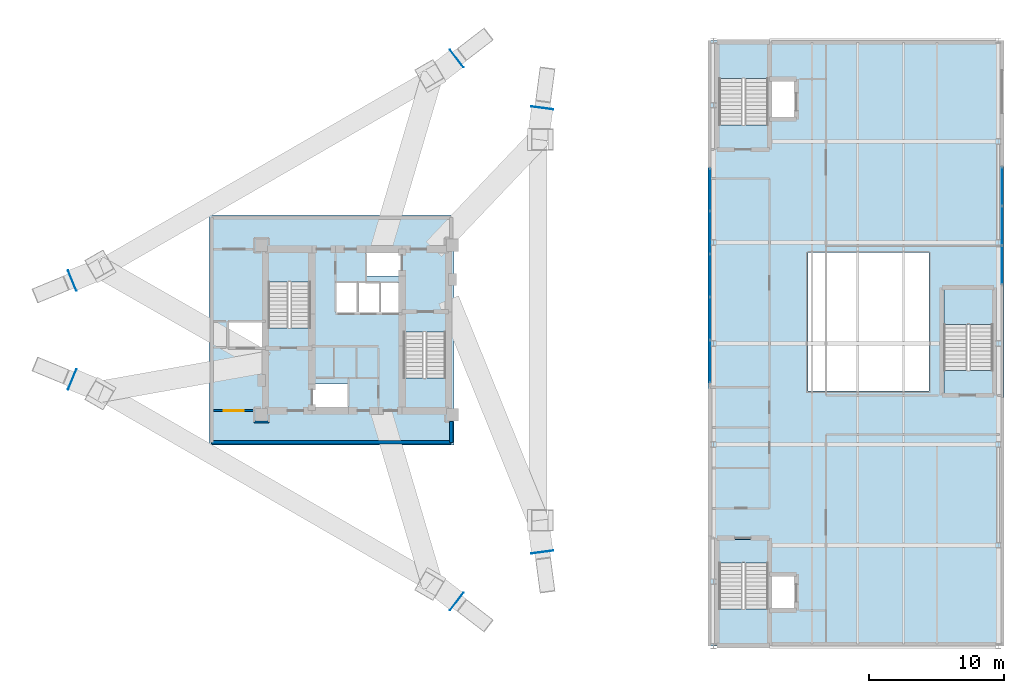
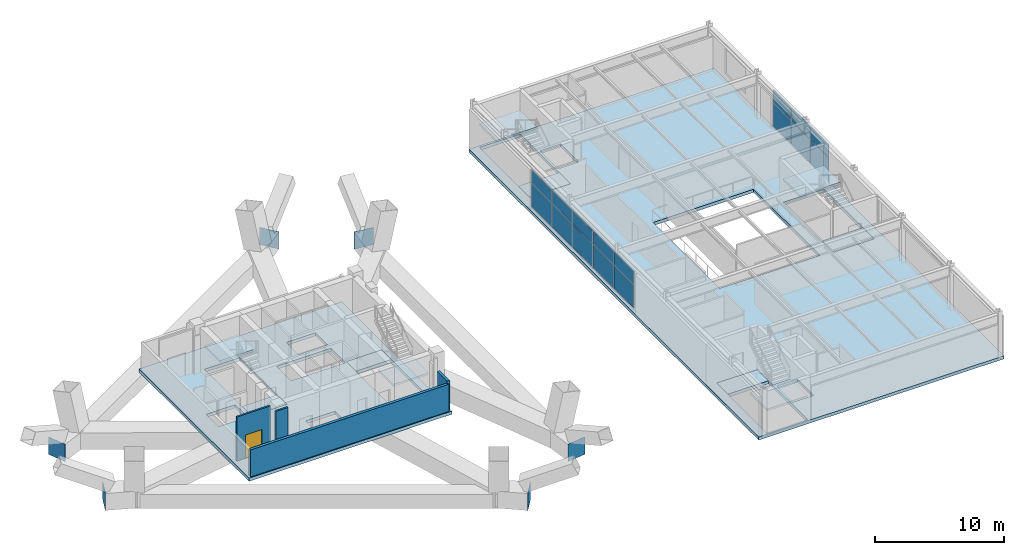
# One storey, part 10 of 16: 22 plates, 12 slabs, 4 walls, 1 door, 1 opening, 7 elements without a shape of their own.
"""IFC4 building model written with IfcOpenShell, lengths in metres."""

from ifc_helpers import new_model, si_unit, direction, frame, frame_2d, origin, origin_2d, place, context, subcontext, project, spatial, polyline, rectangle, outline, extrude, material, layer, layer_set, type_object, element, fill, aggregate, save


model = new_model("IFC4")

# Units and contexts
model_context = context("Model", 3, precision=1e-05, world=origin(), true_north=direction((0.0, 1.0)))
body_context = subcontext(model_context, "Body", "Model", "MODEL_VIEW")
ifc_project = project(units=[si_unit("LENGTHUNIT", "METRE"), si_unit("AREAUNIT", "SQUARE_METRE"), si_unit("VOLUMEUNIT", "CUBIC_METRE"), si_unit("PLANEANGLEUNIT", "RADIAN"), si_unit("MASSUNIT", "GRAM", prefix="KILO")], contexts=[model_context])

# Site, building, storey
site_placement = place(None, origin())
site = spatial("IfcSite", under=ifc_project, at=site_placement, CompositionType="ELEMENT")
building_placement = place(site_placement, origin())
building = spatial("IfcBuilding", under=site, at=building_placement, Name="Mersakhor Tower and Convention Hall", CompositionType="ELEMENT")
storey_placement = place(building_placement, frame((0.0, 0.0, 5.10009765625)))
storey = spatial("IfcBuildingStorey", under=building, at=storey_placement, Name="L01", CompositionType="ELEMENT", Elevation=5.10009765625)

# Curtain wall, plates
ifc_material_1 = material(Name="Dark solar low-E aluminium curtain wall", Category="aluminium")
ifc_layer_1 = layer(ifc_material_1, 0.219970703125)
ifc_layer_set_1 = layer_set([ifc_layer_1], Name="Dark solar low-E aluminium curtain wall")
curtain_wall_type = type_object("IfcCurtainWallType", Name="CW-SYS-07", PredefinedType="USERDEFINED", material=ifc_layer_set_1)
curtain_wall_1_placement = place(storey_placement, origin())
curtain_wall_1 = element("IfcCurtainWall", 1, at=curtain_wall_1_placement, inside=storey, type_object=curtain_wall_type, Name="Convention L01 West Curtain Wall", ObjectType="CURTAIN WALL", PredefinedType="USERDEFINED")
ifc_material_2 = material(Name="Dark solar double glazing", Category="glass")
ifc_layer_2 = layer(ifc_material_2, 0.0439453125)
ifc_layer_set_2 = layer_set([ifc_layer_2], Name="Dark solar double glazing")
plate_type_1 = type_object("IfcPlateType", Name="CWP-GLZ-44", PredefinedType="CURTAIN_PANEL", material=ifc_layer_set_2)
plate_1_placement = place(storey_placement, frame((55.22509765625, 24.419921875, 0.260009765625), z_axis=(0.0, 0.0, 1.0), x_axis=(0.0, 1.0, 0.0)))
plate_1 = element("IfcPlate", 2, at=plate_1_placement, type_object=plate_type_1, Name="CW-07 panel 1.1", PredefinedType="CURTAIN_PANEL", context=body_context, shape_type="SweptSolid", body=[
    extrude(rectangle(XDim=3.080078125, YDim=0.0439453125, at=origin_2d()), origin(), (0.0, 0.0, 1.0), 2.2099609375),
])
plate_2_placement = place(storey_placement, frame((55.22509765625, 24.419921875, 2.530029296875), z_axis=(0.0, 0.0, 1.0), x_axis=(0.0, 1.0, 0.0)))
plate_2 = element("IfcPlate", 3, at=plate_2_placement, type_object=plate_type_1, Name="CW-07 panel 1.2", PredefinedType="CURTAIN_PANEL", context=body_context, shape_type="SweptSolid", body=[
    extrude(rectangle(XDim=3.080078125, YDim=0.0439453125, at=origin_2d()), origin(), (0.0, 0.0, 1.0), 1.2099609375),
])
plate_3_placement = place(storey_placement, frame((55.22509765625, 27.60009765625, 0.260009765625), z_axis=(0.0, 0.0, 1.0), x_axis=(0.0, 1.0, 0.0)))
plate_3 = element("IfcPlate", 4, at=plate_3_placement, type_object=plate_type_1, Name="CW-07 panel 2.1", PredefinedType="CURTAIN_PANEL", context=body_context, shape_type="SweptSolid", body=[
    extrude(rectangle(XDim=3.1201171875, YDim=0.0439453125, at=origin_2d()), origin(), (0.0, 0.0, 1.0), 2.2099609375),
])
plate_4_placement = place(storey_placement, frame((55.22509765625, 27.60009765625, 2.530029296875), z_axis=(0.0, 0.0, 1.0), x_axis=(0.0, 1.0, 0.0)))
plate_4 = element("IfcPlate", 5, at=plate_4_placement, type_object=plate_type_1, Name="CW-07 panel 2.2", PredefinedType="CURTAIN_PANEL", context=body_context, shape_type="SweptSolid", body=[
    extrude(rectangle(XDim=3.1201171875, YDim=0.0439453125, at=origin_2d()), origin(), (0.0, 0.0, 1.0), 1.2099609375),
])
plate_5_placement = place(storey_placement, frame((55.22509765625, 30.800048828125, 0.260009765625), z_axis=(0.0, 0.0, 1.0), x_axis=(0.0, 1.0, 0.0)))
plate_5 = element("IfcPlate", 6, at=plate_5_placement, type_object=plate_type_1, Name="CW-07 panel 3.1", PredefinedType="CURTAIN_PANEL", context=body_context, shape_type="SweptSolid", body=[
    extrude(rectangle(XDim=3.1201171875, YDim=0.0439453125, at=origin_2d()), origin(), (0.0, 0.0, 1.0), 2.2099609375),
])
plate_6_placement = place(storey_placement, frame((55.22509765625, 30.800048828125, 2.530029296875), z_axis=(0.0, 0.0, 1.0), x_axis=(0.0, 1.0, 0.0)))
plate_6 = element("IfcPlate", 7, at=plate_6_placement, type_object=plate_type_1, Name="CW-07 panel 3.2", PredefinedType="CURTAIN_PANEL", context=body_context, shape_type="SweptSolid", body=[
    extrude(rectangle(XDim=3.1201171875, YDim=0.0439453125, at=origin_2d()), origin(), (0.0, 0.0, 1.0), 1.2099609375),
])
plate_7_placement = place(storey_placement, frame((55.22509765625, 34.0, 0.260009765625), z_axis=(0.0, 0.0, 1.0), x_axis=(0.0, 1.0, 0.0)))
plate_7 = element("IfcPlate", 8, at=plate_7_placement, type_object=plate_type_1, Name="CW-07 panel 4.1", PredefinedType="CURTAIN_PANEL", context=body_context, shape_type="SweptSolid", body=[
    extrude(rectangle(XDim=3.1201171875, YDim=0.0439453125, at=origin_2d()), origin(), (0.0, 0.0, 1.0), 2.2099609375),
])
plate_8_placement = place(storey_placement, frame((55.22509765625, 34.0, 2.530029296875), z_axis=(0.0, 0.0, 1.0), x_axis=(0.0, 1.0, 0.0)))
plate_8 = element("IfcPlate", 9, at=plate_8_placement, type_object=plate_type_1, Name="CW-07 panel 4.2", PredefinedType="CURTAIN_PANEL", context=body_context, shape_type="SweptSolid", body=[
    extrude(rectangle(XDim=3.1201171875, YDim=0.0439453125, at=origin_2d()), origin(), (0.0, 0.0, 1.0), 1.2099609375),
])
plate_9_placement = place(storey_placement, frame((55.22509765625, 37.179931640625, 0.260009765625), z_axis=(0.0, 0.0, 1.0), x_axis=(0.0, 1.0, 0.0)))
plate_9 = element("IfcPlate", 10, at=plate_9_placement, type_object=plate_type_1, Name="CW-07 panel 5.1", PredefinedType="CURTAIN_PANEL", context=body_context, shape_type="SweptSolid", body=[
    extrude(rectangle(XDim=3.080078125, YDim=0.0439453125, at=origin_2d()), origin(), (0.0, 0.0, 1.0), 2.2099609375),
])
plate_10_placement = place(storey_placement, frame((55.22509765625, 37.179931640625, 2.530029296875), z_axis=(0.0, 0.0, 1.0), x_axis=(0.0, 1.0, 0.0)))
plate_10 = element("IfcPlate", 11, at=plate_10_placement, type_object=plate_type_1, Name="CW-07 panel 5.2", PredefinedType="CURTAIN_PANEL", context=body_context, shape_type="SweptSolid", body=[
    extrude(rectangle(XDim=3.080078125, YDim=0.0439453125, at=origin_2d()), origin(), (0.0, 0.0, 1.0), 1.2099609375),
])
aggregate(curtain_wall_1, [plate_1, plate_2, plate_3, plate_4, plate_5, plate_6, plate_7, plate_8, plate_9, plate_10])

curtain_wall_2_placement = place(storey_placement, origin())
curtain_wall_2 = element("IfcCurtainWall", 12, at=curtain_wall_2_placement, inside=storey, type_object=curtain_wall_type, Name="Convention L01 East Curtain Wall", ObjectType="CURTAIN WALL", PredefinedType="USERDEFINED")
plate_11_placement = place(storey_placement, frame((76.925048828125, 37.413330078125, 0.260009765625), z_axis=(0.0, 0.0, 1.0), x_axis=(0.0, -1.0, 0.0)))
plate_11 = element("IfcPlate", 13, at=plate_11_placement, type_object=plate_type_1, Name="CW-07 panel 1.1", PredefinedType="CURTAIN_PANEL", context=body_context, shape_type="SweptSolid", body=[
    extrude(rectangle(XDim=2.813232421875, YDim=0.0439453125, at=origin_2d()), origin(), (0.0, 0.0, 1.0), 2.2099609375),
])
plate_12_placement = place(storey_placement, frame((76.925048828125, 37.413330078125, 2.530029296875), z_axis=(0.0, 0.0, 1.0), x_axis=(0.0, -1.0, 0.0)))
plate_12 = element("IfcPlate", 14, at=plate_12_placement, type_object=plate_type_1, Name="CW-07 panel 1.2", PredefinedType="CURTAIN_PANEL", context=body_context, shape_type="SweptSolid", body=[
    extrude(rectangle(XDim=2.813232421875, YDim=0.0439453125, at=origin_2d()), origin(), (0.0, 0.0, 1.0), 1.2099609375),
])
plate_13_placement = place(storey_placement, frame((76.925048828125, 34.5, 0.260009765625), z_axis=(0.0, 0.0, 1.0), x_axis=(0.0, -1.0, 0.0)))
plate_13 = element("IfcPlate", 15, at=plate_13_placement, type_object=plate_type_1, Name="CW-07 panel 2.1", PredefinedType="CURTAIN_PANEL", context=body_context, shape_type="SweptSolid", body=[
    extrude(rectangle(XDim=2.853271484375, YDim=0.0439453125, at=origin_2d()), origin(), (0.0, 0.0, 1.0), 2.2099609375),
])
plate_14_placement = place(storey_placement, frame((76.925048828125, 34.5, 2.530029296875), z_axis=(0.0, 0.0, 1.0), x_axis=(0.0, -1.0, 0.0)))
plate_14 = element("IfcPlate", 16, at=plate_14_placement, type_object=plate_type_1, Name="CW-07 panel 2.2", PredefinedType="CURTAIN_PANEL", context=body_context, shape_type="SweptSolid", body=[
    extrude(rectangle(XDim=2.853271484375, YDim=0.0439453125, at=origin_2d()), origin(), (0.0, 0.0, 1.0), 1.2099609375),
])
plate_15_placement = place(storey_placement, frame((76.925048828125, 31.586669921875, 0.260009765625), z_axis=(0.0, 0.0, 1.0), x_axis=(0.0, -1.0, 0.0)))
plate_15 = element("IfcPlate", 17, at=plate_15_placement, type_object=plate_type_1, Name="CW-07 panel 3.1", PredefinedType="CURTAIN_PANEL", context=body_context, shape_type="SweptSolid", body=[
    extrude(rectangle(XDim=2.813232421875, YDim=0.0439453125, at=origin_2d()), origin(), (0.0, 0.0, 1.0), 2.2099609375),
])
plate_16_placement = place(storey_placement, frame((76.925048828125, 31.586669921875, 2.530029296875), z_axis=(0.0, 0.0, 1.0), x_axis=(0.0, -1.0, 0.0)))
plate_16 = element("IfcPlate", 18, at=plate_16_placement, type_object=plate_type_1, Name="CW-07 panel 3.2", PredefinedType="CURTAIN_PANEL", context=body_context, shape_type="SweptSolid", body=[
    extrude(rectangle(XDim=2.813232421875, YDim=0.0439453125, at=origin_2d()), origin(), (0.0, 0.0, 1.0), 1.2099609375),
])
aggregate(curtain_wall_2, [plate_11, plate_12, plate_13, plate_14, plate_15, plate_16])

# Plates
ifc_material_3 = material(Name="Steel S355", Category="steel")
ifc_layer_3 = layer(ifc_material_3, 0.031982421875)
ifc_layer_set_3 = layer_set([ifc_layer_3], Name="Steel S355")
plate_type_2 = type_object("IfcPlateType", Name="PL-CAP-32", PredefinedType="SHEET", material=ifc_layer_set_3)
for number, where, z_axis, x_axis, name in (
    (19, (7.82958984375, 30.418701171875, -1.919921875), (0.0, 0.0, 1.0), (-0.924412958633, -0.381393080575, 0.0), "L01 Y-Node Transfer Cap End Plate YCEP-F1-A"),
    (20, (36.408203125, 46.91845703125, -1.919921875), (0.0, 0.0, 1.0), (0.792502575922, 0.609868565477, 0.0), "L01 Y-Node Transfer Cap End Plate YCEP-F1-B"),
    (21, (42.76220703125, 43.25, -1.919921875), (0.0, 0.0, 1.0), (0.131910382711, 0.991261646052, 0.0), "L01 Y-Node Transfer Cap End Plate YCEP-F2-A"),
    (22, (42.76220703125, 10.25, -1.919921875), (0.0, 0.0, 1.0), (0.131910382711, -0.991261646052, 0.0), "L01 Y-Node Transfer Cap End Plate YCEP-F2-B"),
    (23, (36.408203125, 6.58154296875, -1.919921875), (0.0, 0.0, 1.0), (0.792502575922, -0.609868565477, 0.0), "L01 Y-Node Transfer Cap End Plate YCEP-F3-A"),
    (24, (7.82958984375, 23.081298828125, -1.919921875), (0.0, 0.0, 1.0), (-0.924412958633, 0.381393080575, 0.0), "L01 Y-Node Transfer Cap End Plate YCEP-F3-B"),
):
    element("IfcPlate", number, at=place(storey_placement, frame(where, z_axis=z_axis, x_axis=x_axis)), inside=storey, type_object=plate_type_2, Name=name, PredefinedType="SHEET", context=body_context, shape_type="SweptSolid", body=[
        extrude(rectangle(XDim=0.031982421875, YDim=1.639892578125, at=origin_2d()), origin(), (0.0, 0.0, 1.0), 1.639892578125),
    ])

# Slabs
ifc_material_4 = material(Name="Concrete C45/55", Category="concrete")
ifc_layer_4 = layer(ifc_material_4, 0.300048828125)
ifc_layer_set_4 = layer_set([ifc_layer_4], Name="Concrete C45/55")
slab_type_1 = type_object("IfcSlabType", Name="SL-FLR-300", PredefinedType="FLOOR", material=ifc_layer_set_4)
slab_1_placement = place(storey_placement, frame((0.0, 0.0, -0.300048828125)))
element("IfcSlab", 25, at=slab_1_placement, inside=storey, type_object=slab_type_1, Name="L01 ST-1 Structural Stair Floor Landing", PredefinedType="LANDING", context=body_context, shape_type="SweptSolid", body=[
    extrude(outline(polyline([(25.550048828125, 25.39990234375), (25.550048828125, 26.89990234375), (22.39990234375, 26.89990234375), (22.39990234375, 25.39990234375), (25.550048828125, 25.39990234375)])), origin(), (0.0, 0.0, 1.0), 0.300048828125),
])
slab_2_placement = place(storey_placement, frame((0.0, 0.0, -0.300048828125)))
element("IfcSlab", 26, at=slab_2_placement, inside=storey, type_object=slab_type_1, Name="L01 ST-2 Structural Stair Floor Landing", PredefinedType="LANDING", context=body_context, shape_type="SweptSolid", body=[
    extrude(outline(polyline([(32.449951171875, 28.10009765625), (32.449951171875, 26.60009765625), (35.60009765625, 26.60009765625), (35.60009765625, 28.10009765625), (32.449951171875, 28.10009765625)])), origin(), (0.0, 0.0, 1.0), 0.300048828125),
])
slab_3_placement = place(storey_placement, frame((0.0, 0.0, -0.300048828125)))
element("IfcSlab", 27, at=slab_3_placement, inside=storey, type_object=slab_type_1, Name="Tower L01 Structural Floor Slab", PredefinedType="FLOOR", context=body_context, shape_type="SweptSolid", body=[
    extrude(outline(polyline([(18.0, 18.199951171875), (18.0, 35.300048828125), (36.199951171875, 35.300048828125), (36.199951171875, 18.199951171875), (18.0, 18.199951171875)]), holes=[polyline([(25.550048828125, 25.39990234375), (25.550048828125, 32.699951171875), (22.39990234375, 32.699951171875), (22.39990234375, 25.39990234375), (25.550048828125, 25.39990234375)]), polyline([(32.449951171875, 28.10009765625), (32.449951171875, 20.800048828125), (35.60009765625, 20.800048828125), (35.60009765625, 28.10009765625), (32.449951171875, 28.10009765625)]), polyline([(25.679931640625, 20.820068359375), (25.679931640625, 22.719970703125), (28.320068359375, 22.719970703125), (28.320068359375, 20.820068359375), (25.679931640625, 20.820068359375)]), polyline([(29.679931640625, 30.780029296875), (29.679931640625, 32.679931640625), (32.320068359375, 32.679931640625), (32.320068359375, 30.780029296875), (29.679931640625, 30.780029296875)]), polyline([(27.429931640625, 28.0), (27.429931640625, 30.25), (32.320068359375, 30.25), (32.320068359375, 28.0), (27.429931640625, 28.0)]), polyline([(19.449951171875, 25.449951171875), (19.449951171875, 27.35009765625), (22.050048828125, 27.35009765625), (22.050048828125, 25.449951171875), (19.449951171875, 25.449951171875)])]), origin(), (0.0, 0.0, 1.0), 0.300048828125),
])
slab_4_placement = place(storey_placement, frame((0.0, 0.0, -0.300048828125)))
element("IfcSlab", 28, at=slab_4_placement, inside=storey, type_object=slab_type_1, Name="L01 CH-ST1 Structural Stair Floor Landing", PredefinedType="LANDING", context=body_context, shape_type="SweptSolid", body=[
    extrude(outline(polyline([(55.89990234375, 11.199951171875), (55.89990234375, 9.449951171875), (59.550048828125, 9.449951171875), (59.550048828125, 11.199951171875), (55.89990234375, 11.199951171875)])), origin(), (0.0, 0.0, 1.0), 0.300048828125),
])
slab_5_placement = place(storey_placement, frame((0.0, 0.0, -0.300048828125)))
element("IfcSlab", 29, at=slab_5_placement, inside=storey, type_object=slab_type_1, Name="L01 CH-ST2 Structural Stair Floor Landing", PredefinedType="LANDING", context=body_context, shape_type="SweptSolid", body=[
    extrude(outline(polyline([(59.550048828125, 40.25), (59.550048828125, 42.0), (55.89990234375, 42.0), (55.89990234375, 40.25), (59.550048828125, 40.25)])), origin(), (0.0, 0.0, 1.0), 0.300048828125),
])
slab_6_placement = place(storey_placement, frame((0.0, 0.0, -0.300048828125)))
element("IfcSlab", 30, at=slab_6_placement, inside=storey, type_object=slab_type_1, Name="L01 CH-ST3 Structural Stair Floor Landing", PredefinedType="LANDING", context=body_context, shape_type="SweptSolid", body=[
    extrude(outline(polyline([(76.25, 22.0), (76.25, 23.75), (72.60009765625, 23.75), (72.60009765625, 22.0), (76.25, 22.0)])), origin(), (0.0, 0.0, 1.0), 0.300048828125),
])
slab_7_placement = place(storey_placement, frame((0.0, 0.0, -0.300048828125)))
element("IfcSlab", 31, at=slab_7_placement, inside=storey, type_object=slab_type_1, Name="Convention Hall L01 Composite Floor Slab", PredefinedType="FLOOR", context=body_context, shape_type="SweptSolid", body=[
    extrude(outline(polyline([(55.074951171875, 3.25), (55.074951171875, 48.25), (77.074951171875, 48.25), (77.074951171875, 3.25), (55.074951171875, 3.25)]), holes=[polyline([(55.89990234375, 11.199951171875), (55.89990234375, 3.39990234375), (59.550048828125, 3.39990234375), (59.550048828125, 11.199951171875), (55.89990234375, 11.199951171875)]), polyline([(59.550048828125, 40.25), (59.550048828125, 48.050048828125), (55.89990234375, 48.050048828125), (55.89990234375, 40.25), (59.550048828125, 40.25)]), polyline([(76.25, 22.0), (76.25, 29.800048828125), (72.60009765625, 29.800048828125), (72.60009765625, 22.0), (76.25, 22.0)]), polyline([(62.5, 22.199951171875), (62.5, 32.5), (71.5, 32.5), (71.5, 22.199951171875), (62.5, 22.199951171875)]), polyline([(59.75, 6.0), (59.75, 8.5), (61.60009765625, 8.5), (61.60009765625, 6.0), (59.75, 6.0)]), polyline([(59.75, 42.5), (59.75, 45.300048828125), (61.60009765625, 45.300048828125), (61.60009765625, 42.5), (59.75, 42.5)])]), origin(), (0.0, 0.0, 1.0), 0.300048828125),
])

# Stair, slab
ifc_material_5 = material(Name="Concrete C45/55", Category="concrete")
stair_type_1 = type_object("IfcStairType", Name="ST-TWR-26R", PredefinedType="HALF_TURN_STAIR", material=ifc_material_5)
stair_1_placement = place(storey_placement, origin())
stair_1 = element("IfcStair", 32, at=stair_1_placement, inside=storey, type_object=stair_type_1, Name="L01 Tower Protected Exit Stair ST-1", PredefinedType="HALF_TURN_STAIR")
ifc_material_6 = material(Name="Concrete C45/55", Category="concrete")
ifc_layer_5 = layer(ifc_material_6, 0.199951171875)
ifc_layer_set_5 = layer_set([ifc_layer_5], Name="Concrete C45/55")
slab_type_2 = type_object("IfcSlabType", Name="SL-LAND-200", PredefinedType="LANDING", material=ifc_layer_set_5)
slab_8_placement = place(storey_placement, frame((0.0, 0.0, 2.0498046875)))
slab_8 = element("IfcSlab", 33, at=slab_8_placement, type_object=slab_type_2, Name="ST-1 landing 1", PredefinedType="LANDING", context=body_context, shape_type="SweptSolid", body=[
    extrude(outline(polyline([(25.550048828125, 30.320068359375), (25.550048828125, 32.699951171875), (22.39990234375, 32.699951171875), (22.39990234375, 30.320068359375), (25.550048828125, 30.320068359375)])), origin(), (0.0, 0.0, 1.0), 0.2001953125),
])
aggregate(stair_1, [slab_8])

stair_2_placement = place(storey_placement, origin())
stair_2 = element("IfcStair", 34, at=stair_2_placement, inside=storey, type_object=stair_type_1, Name="L01 Tower Protected Exit Stair ST-2", PredefinedType="HALF_TURN_STAIR")
slab_9_placement = place(storey_placement, frame((0.0, 0.0, 2.0498046875)))
slab_9 = element("IfcSlab", 35, at=slab_9_placement, type_object=slab_type_2, Name="ST-2 landing 1", PredefinedType="LANDING", context=body_context, shape_type="SweptSolid", body=[
    extrude(outline(polyline([(32.449951171875, 23.179931640625), (32.449951171875, 20.800048828125), (35.60009765625, 20.800048828125), (35.60009765625, 23.179931640625), (32.449951171875, 23.179931640625)])), origin(), (0.0, 0.0, 1.0), 0.2001953125),
])
aggregate(stair_2, [slab_9])

ifc_material_7 = material(Name="Concrete C45/55", Category="concrete")
stair_type_2 = type_object("IfcStairType", Name="ST-CNV-26R", PredefinedType="HALF_TURN_STAIR", material=ifc_material_7)
stair_3_placement = place(storey_placement, origin())
stair_3 = element("IfcStair", 36, at=stair_3_placement, inside=storey, type_object=stair_type_2, Name="L01 Convention Hall Exit Stair CH-ST1", PredefinedType="HALF_TURN_STAIR")
slab_10_placement = place(storey_placement, frame((0.0, 0.0, 2.0498046875)))
slab_10 = element("IfcSlab", 37, at=slab_10_placement, type_object=slab_type_2, Name="CH-ST1 landing 1", PredefinedType="LANDING", context=body_context, shape_type="SweptSolid", body=[
    extrude(outline(polyline([(55.89990234375, 6.030029296875), (55.89990234375, 3.39990234375), (59.550048828125, 3.39990234375), (59.550048828125, 6.030029296875), (55.89990234375, 6.030029296875)])), origin(), (0.0, 0.0, 1.0), 0.2001953125),
])
aggregate(stair_3, [slab_10])

stair_4_placement = place(storey_placement, origin())
stair_4 = element("IfcStair", 38, at=stair_4_placement, inside=storey, type_object=stair_type_2, Name="L01 Convention Hall Exit Stair CH-ST2", PredefinedType="HALF_TURN_STAIR")
slab_11_placement = place(storey_placement, frame((0.0, 0.0, 2.0498046875)))
slab_11 = element("IfcSlab", 39, at=slab_11_placement, type_object=slab_type_2, Name="CH-ST2 landing 1", PredefinedType="LANDING", context=body_context, shape_type="SweptSolid", body=[
    extrude(outline(polyline([(59.550048828125, 45.419921875), (59.550048828125, 48.050048828125), (55.89990234375, 48.050048828125), (55.89990234375, 45.419921875), (59.550048828125, 45.419921875)])), origin(), (0.0, 0.0, 1.0), 0.2001953125),
])
aggregate(stair_4, [slab_11])

stair_5_placement = place(storey_placement, origin())
stair_5 = element("IfcStair", 40, at=stair_5_placement, inside=storey, type_object=stair_type_2, Name="L01 Convention Hall Exit Stair CH-ST3", PredefinedType="HALF_TURN_STAIR")
slab_12_placement = place(storey_placement, frame((0.0, 0.0, 2.0498046875)))
slab_12 = element("IfcSlab", 41, at=slab_12_placement, type_object=slab_type_2, Name="CH-ST3 landing 1", PredefinedType="LANDING", context=body_context, shape_type="SweptSolid", body=[
    extrude(outline(polyline([(76.25, 27.169921875), (76.25, 29.800048828125), (72.60009765625, 29.800048828125), (72.60009765625, 27.169921875), (76.25, 27.169921875)])), origin(), (0.0, 0.0, 1.0), 0.2001953125),
])
aggregate(stair_5, [slab_12])

# Walls
ifc_material_8 = material(Name="Precast concrete C40/50", Category="concrete")
ifc_layer_6 = layer(ifc_material_8, 0.25)
ifc_layer_set_6 = layer_set([ifc_layer_6], Name="Precast concrete C40/50")
wall_type_1 = type_object("IfcWallType", Name="WL-EXT-250", PredefinedType="SOLIDWALL", material=ifc_layer_set_6)
wall_1_placement = place(storey_placement, frame((36.0, 19.949951171875, 0.0), z_axis=(0.0, 0.0, 1.0), x_axis=(0.0, -1.0, 0.0)))
element("IfcWall", 42, at=wall_1_placement, inside=storey, type_object=wall_type_1, Name="L01 Clinic Mezzanine Exterior Wall ES", PredefinedType="SOLIDWALL", context=body_context, shape_type="SweptSolid", body=[
    extrude(rectangle(XDim=1.550048828125, YDim=0.25, at=frame_2d((0.77490234375, 0.0))), origin(), (0.0, 0.0, 1.0), 2.81494140625),
])
wall_2_placement = place(storey_placement, frame((36.0, 18.39990234375, 0.0), z_axis=(0.0, 0.0, 1.0), x_axis=(-1.0, 0.0, 0.0)))
element("IfcWall", 43, at=wall_2_placement, inside=storey, type_object=wall_type_1, Name="L01 Clinic Mezzanine Exterior Wall S", PredefinedType="SOLIDWALL", context=body_context, shape_type="SweptSolid", body=[
    extrude(rectangle(XDim=17.800048828125, YDim=0.25, at=frame_2d((8.89990234375, 0.0))), origin(), (0.0, 0.0, 1.0), 2.56494140625),
])

# Wall, opening, door
ifc_material_9 = material(Name="Fire-rated gypsum board stud partition", Category="other")
ifc_layer_7 = layer(ifc_material_9, 0.14990234375)
ifc_layer_set_7 = layer_set([ifc_layer_7], Name="Fire-rated gypsum board stud partition")
wall_type_2 = type_object("IfcWallType", Name="WL-PRT-150", PredefinedType="PARTITIONING", material=ifc_layer_set_7)
wall_3_placement = place(storey_placement, frame((21.35009765625, 20.75, 0.0), z_axis=(0.0, 0.0, 1.0), x_axis=(-1.0, 0.0, 0.0)))
wall_3 = element("IfcWall", 44, at=wall_3_placement, inside=storey, type_object=wall_type_2, Name="L01 Interior Partition Wall P-038", PredefinedType="PARTITIONING", context=body_context, shape_type="SweptSolid", body=[
    extrude(rectangle(XDim=3.0009765625, YDim=0.14990234375, at=frame_2d((1.50048828125, 0.0))), origin(), (0.0, 0.0, 1.0), 4.179931640625),
])
opening_placement = place(wall_3_placement, frame((0.75048828125, 0.0, 0.0)))
opening = element("IfcOpeningElement", 45, at=opening_placement, cuts=wall_3, Name="Opening LD-LOB", PredefinedType="OPENING", context=body_context, shape_type="SweptSolid", body=[
    extrude(rectangle(XDim=1.5, YDim=2.199951171875, at=frame_2d((0.75, 1.10009765625))), frame((0.0, 0.0849609375, 0.0), z_axis=(0.0, -1.0, 0.0), x_axis=(1.0, 0.0, 0.0)), (0.0, 0.0, 1.0), 0.169921875),
])
ifc_material_10 = material(Name="Fire-rated hardwood leaf and painted steel frame", Category="steel")
door_type = type_object("IfcDoorType", Name="DR-INT-LOB-150x220", OperationType="NOTDEFINED", PredefinedType="DOOR", material=ifc_material_10)
door_placement = place(opening_placement, origin())
door = element("IfcDoor", 46, at=door_placement, inside=storey, type_object=door_type, Name="L01 Clinic Mezzanine Lift Lobby to Clinic Mezzanine South Corridor Door", OperationType="DOUBLE_DOOR_SINGLE_SWING", OverallHeight=2.199951171875, OverallWidth=1.5, PredefinedType="DOOR", context=body_context, shape_type="SweptSolid", body=[
    extrude(rectangle(XDim=1.5, YDim=2.199951171875, at=frame_2d((0.75, 1.10009765625))), frame((0.0, 0.02490234375, 0.0), z_axis=(0.0, -1.0, 0.0), x_axis=(1.0, 0.0, 0.0)), (0.0, 0.0, 1.0), 0.050048828125),
])
fill(opening, door)

# Wall
wall_4_placement = place(storey_placement, frame((21.35009765625, 19.89990234375, 0.0), z_axis=(0.0, 0.0, 1.0), x_axis=(1.0, 0.0, 0.0)))
element("IfcWall", 47, at=wall_4_placement, inside=storey, type_object=wall_type_2, Name="L01 Interior Partition Wall P-040", PredefinedType="PARTITIONING", context=body_context, shape_type="SweptSolid", body=[
    extrude(rectangle(XDim=1.099853515625, YDim=0.14990234375, at=frame_2d((0.5498046875, 0.0))), origin(), (0.0, 0.0, 1.0), 4.179931640625),
])

save(model, "model.ifc")
